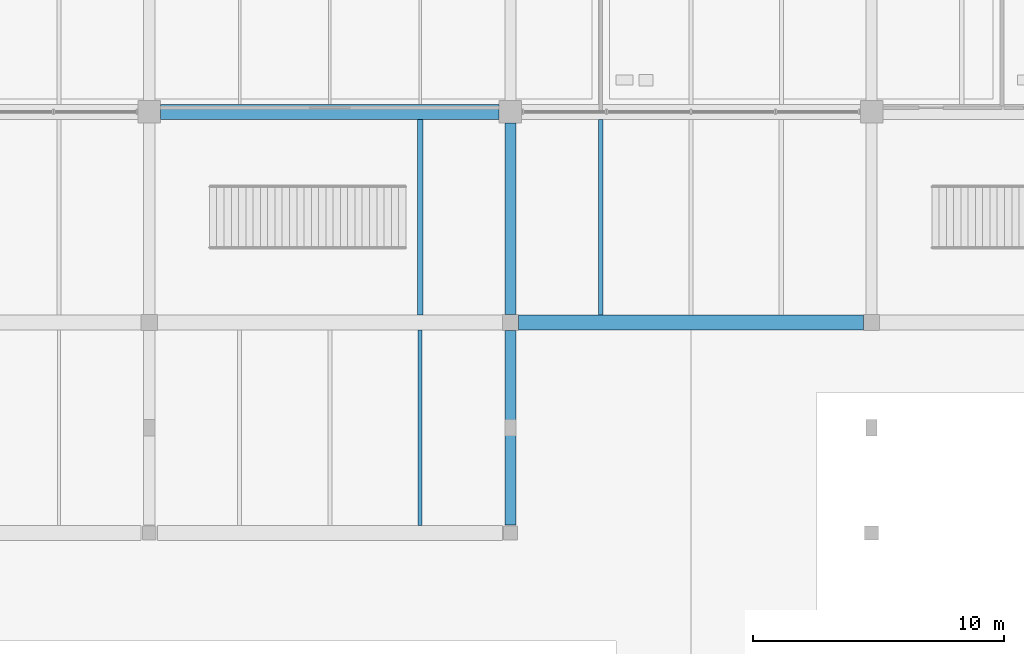
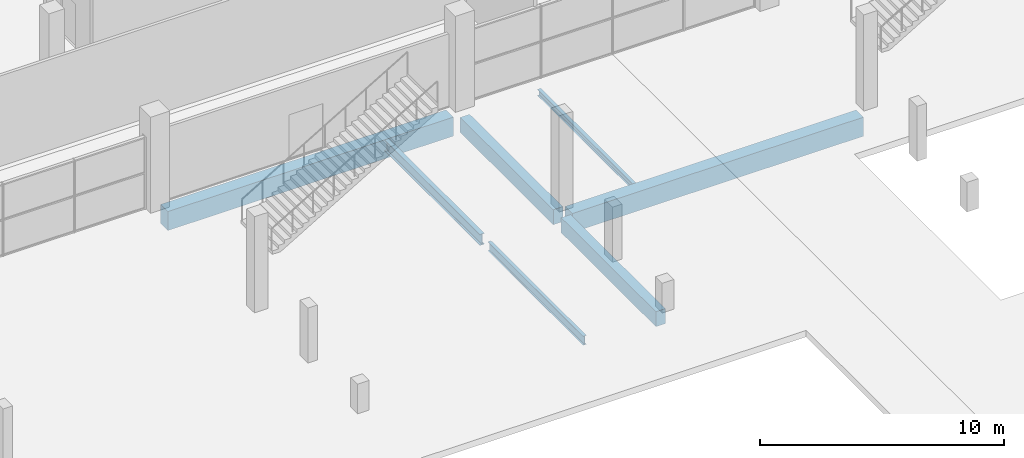
# One storey, part 48 of 130: 7 beams.
"""IFC4 building model written with IfcOpenShell, lengths in metres."""

from ifc_helpers import new_model, si_unit, direction, frame, origin, origin_2d, place, context, subcontext, project, spatial, rectangle, i_section, extrude, material, material_profile, profile_set, type_object, element, save


model = new_model("IFC4")

# Units and contexts
model_context = context("Model", 3, precision=1e-05, world=origin(), true_north=direction((0.0, 1.0)))
body_context = subcontext(model_context, "Body", "Model", "MODEL_VIEW")
ifc_project = project(units=[si_unit("LENGTHUNIT", "METRE"), si_unit("AREAUNIT", "SQUARE_METRE"), si_unit("VOLUMEUNIT", "CUBIC_METRE"), si_unit("PLANEANGLEUNIT", "RADIAN"), si_unit("MASSUNIT", "GRAM", prefix="KILO"), si_unit("THERMODYNAMICTEMPERATUREUNIT", "KELVIN")], contexts=[model_context])

# Site, building, storey
site_placement = place(None, origin())
site = spatial("IfcSite", under=ifc_project, at=site_placement, CompositionType="ELEMENT")
building_placement = place(site_placement, origin())
building = spatial("IfcBuilding", under=site, at=building_placement, Name="Nduvali Passage Aquatics Centre", CompositionType="ELEMENT")
storey_placement = place(building_placement, origin())
storey = spatial("IfcBuildingStorey", under=building, at=storey_placement, Name="L00", CompositionType="ELEMENT", Elevation=0.0)

# Beams
ifc_material_1 = material(Name="Concrete C40/50", Category="concrete")
ifc_material_profile_1 = material_profile(ifc_material_1, rectangle(XDim=0.449951171875, YDim=0.75, at=origin_2d()), Name="RC 450x750")
ifc_profile_set_1 = profile_set([ifc_material_profile_1], Name="Concrete C40/50")
beam_type_1 = type_object("IfcBeamType", Name="STR-BM-RC4575", PredefinedType="BEAM", material=ifc_profile_set_1)
beam_1_placement = place(storey_placement, frame((82.800048828125, 75.925048828125, -0.695068359375), z_axis=(0.0, 1.0, 0.0), x_axis=(-1.0, 0.0, 0.0)))
element("IfcBeam", 1, at=beam_1_placement, inside=storey, type_object=beam_type_1, Name="L00 Primary Y-Girder B3-0164", PredefinedType="BEAM", context=body_context, shape_type="SweptSolid", body=[
    extrude(rectangle(XDim=0.449951171875, YDim=0.75, at=origin_2d()), origin(), (0.0, 0.0, 1.0), 7.75),
])
beam_2_placement = place(storey_placement, frame((82.800048828125, 84.324951171875, -0.695068359375), z_axis=(0.0, 1.0, 0.0), x_axis=(-1.0, 0.0, 0.0)))
element("IfcBeam", 2, at=beam_2_placement, inside=storey, type_object=beam_type_1, Name="L00 Primary Y-Girder B3-0165", PredefinedType="BEAM", context=body_context, shape_type="SweptSolid", body=[
    extrude(rectangle(XDim=0.449951171875, YDim=0.75, at=origin_2d()), origin(), (0.0, 0.0, 1.0), 7.625),
])
ifc_material_profile_2 = material_profile(ifc_material_1, rectangle(XDim=0.60009765625, YDim=0.949951171875, at=origin_2d()), Name="RC 600x950")
ifc_profile_set_2 = profile_set([ifc_material_profile_2], Name="Concrete C40/50")
beam_type_2 = type_object("IfcBeamType", Name="STR-BM-RC6095", PredefinedType="BEAM", material=ifc_profile_set_2)
beam_3_placement = place(storey_placement, frame((83.125, 84.0, -0.794921875), z_axis=(1.0, 0.0, 0.0), x_axis=(0.0, 1.0, 0.0)))
element("IfcBeam", 3, at=beam_3_placement, inside=storey, type_object=beam_type_2, Name="L00 Primary X-Girder B1-0079", PredefinedType="BEAM", context=body_context, shape_type="SweptSolid", body=[
    extrude(rectangle(XDim=0.60009765625, YDim=0.949951171875, at=origin_2d()), origin(), (0.0, 0.0, 1.0), 13.75),
])
ifc_material_profile_3 = material_profile(ifc_material_1, rectangle(XDim=0.60009765625, YDim=0.949951171875, at=origin_2d()), Name="RC 600x950")
ifc_profile_set_3 = profile_set([ifc_material_profile_3], Name="Concrete C40/50")
beam_type_3 = type_object("IfcBeamType", Name="STR-BM-RC6095-EXT", PredefinedType="BEAM", material=ifc_profile_set_3)
beam_4_placement = place(storey_placement, frame((68.85009765625, 92.39990234375, -0.794921875), z_axis=(1.0, 0.0, 0.0), x_axis=(0.0, 1.0, 0.0)))
element("IfcBeam", 4, at=beam_4_placement, inside=storey, type_object=beam_type_3, Name="L00 Primary X-Girder B1E-0088", PredefinedType="BEAM", context=body_context, shape_type="SweptSolid", body=[
    extrude(rectangle(XDim=0.60009765625, YDim=0.949951171875, at=origin_2d()), origin(), (0.0, 0.0, 1.0), 13.5),
])
ifc_material_2 = material(Name="Steel S355", Category="steel")
ifc_material_profile_4 = material_profile(ifc_material_2, i_section(OverallWidth=0.2099609375, OverallDepth=0.550048828125, WebThickness=0.010986328125, FlangeThickness=0.01708984375, FilletRadius=0.02392578125, at=origin_2d()), Name="IPE 550")
ifc_profile_set_4 = profile_set([ifc_material_profile_4], Name="Steel S355")
beam_type_4 = type_object("IfcBeamType", Name="STR-JST-IPE550", PredefinedType="JOIST", material=ifc_profile_set_4)
beam_5_placement = place(storey_placement, frame((79.199951171875, 84.300048828125, -0.59912109375), z_axis=(0.0, 1.0, 0.0), x_axis=(-1.0, 0.0, 0.0)))
element("IfcBeam", 5, at=beam_5_placement, inside=storey, type_object=beam_type_4, Name="L00 Secondary Joist J5C-0384", PredefinedType="JOIST", context=body_context, shape_type="SweptSolid", body=[
    extrude(i_section(OverallWidth=0.2099609375, OverallDepth=0.550048828125, WebThickness=0.010986328125, FlangeThickness=0.01708984375, FilletRadius=0.02392578125, at=origin_2d()), origin(), (0.0, 0.0, 1.0), 7.800048828125),
])
ifc_material_profile_5 = material_profile(ifc_material_2, i_section(OverallWidth=0.165771484375, OverallDepth=0.306640625, WebThickness=0.006591796875, FlangeThickness=0.01171875, FilletRadius=0.0087890625, at=origin_2d()), Name="UKB 305x165x46")
ifc_profile_set_5 = profile_set([ifc_material_profile_5], Name="Steel S355")
beam_type_5 = type_object("IfcBeamType", Name="STR-JST-UKB305", PredefinedType="JOIST", material=ifc_profile_set_5)
beam_6_placement = place(storey_placement, frame((86.39990234375, 84.300048828125, -0.477294921875), z_axis=(0.0, 1.0, 0.0), x_axis=(-1.0, 0.0, 0.0)))
element("IfcBeam", 6, at=beam_6_placement, inside=storey, type_object=beam_type_5, Name="L00 Secondary Joist J3-0385", PredefinedType="JOIST", context=body_context, shape_type="SweptSolid", body=[
    extrude(i_section(OverallWidth=0.165771484375, OverallDepth=0.306640625, WebThickness=0.006591796875, FlangeThickness=0.01171875, FilletRadius=0.0087890625, at=origin_2d()), origin(), (0.0, 0.0, 1.0), 7.800048828125),
])
ifc_material_profile_6 = material_profile(ifc_material_2, i_section(OverallWidth=0.15283203125, OverallDepth=0.45458984375, WebThickness=0.008056640625, FlangeThickness=0.01318359375, FilletRadius=0.01025390625, at=origin_2d()), Name="UKB 457x152x60")
ifc_profile_set_6 = profile_set([ifc_material_profile_6], Name="Steel S355")
beam_type_6 = type_object("IfcBeamType", Name="STR-JST-UKB457L", PredefinedType="JOIST", material=ifc_profile_set_6)
beam_7_placement = place(storey_placement, frame((79.199951171875, 75.89990234375, -0.55126953125), z_axis=(0.0, 1.0, 0.0), x_axis=(-1.0, 0.0, 0.0)))
element("IfcBeam", 7, at=beam_7_placement, inside=storey, type_object=beam_type_6, Name="L00 Secondary Joist J1A-0372", PredefinedType="JOIST", context=body_context, shape_type="SweptSolid", body=[
    extrude(i_section(OverallWidth=0.15283203125, OverallDepth=0.45458984375, WebThickness=0.008056640625, FlangeThickness=0.01318359375, FilletRadius=0.01025390625, at=origin_2d()), origin(), (0.0, 0.0, 1.0), 7.800048828125),
])

save(model, "model.ifc")
